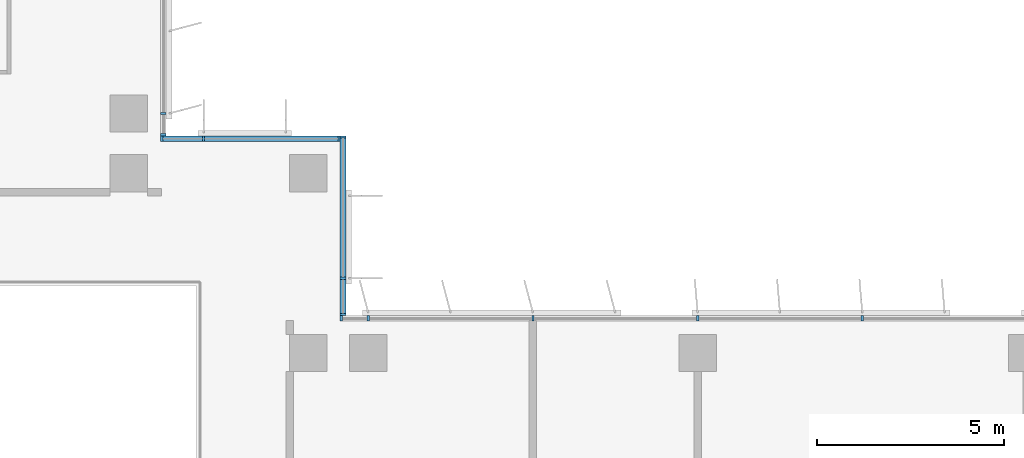
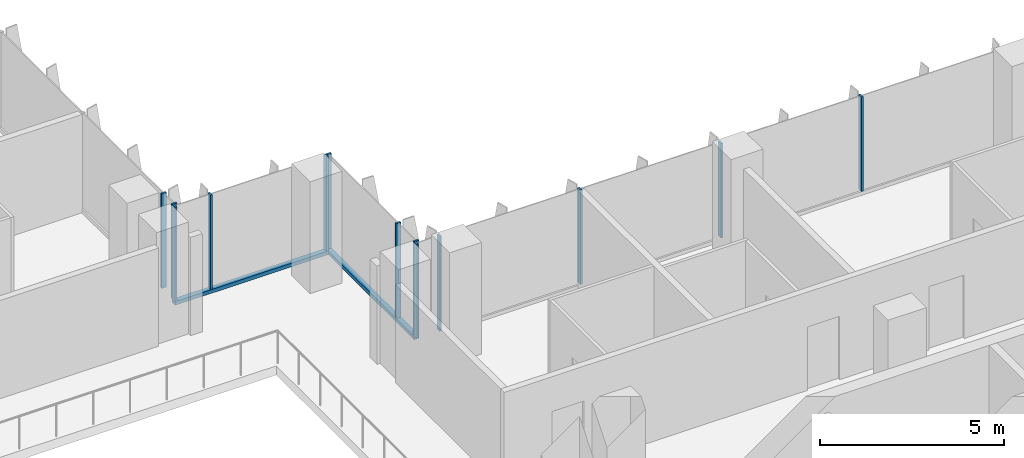
# One storey, part 2 of 20: 15 members, 4 elements without a shape of their own.
"""IFC4 building model written with IfcOpenShell, lengths in metres."""

import ifcopenshell
import ifcopenshell.guid

model = None  # the IFC model being written
_history = None  # IfcOwnerHistory: only IFC2X3 demands one
_inside = {}  # id of a spatial element -> (the spatial element, [elements in it])
_under = {}  # id of a project, library or spatial element -> (it, [spatial elements below it])
_declared = {}  # id of a project -> (the project, [libraries it declares])
_typed = {}  # id of a type object -> (the type object, [elements of that type])
_made_of = {}  # id of a material, layer set ... -> (it, [elements and type objects made of it])


def new_model(schema):
    """Start an empty IFC model of exactly this schema.

    Asked for "IFC4X3", IfcOpenShell would pick the latest addendum, in which some entities
    have other attributes; the version numbers below select the first issue.
    IFC2X3 requires an IfcOwnerHistory on every rooted entity: one is made here for all.
    """
    global model, _history
    if schema == "IFC4X3":
        model = ifcopenshell.file(schema_version=(4, 3, 0, 0))
    else:
        model = ifcopenshell.file(schema=schema)
    _inside.clear()
    _under.clear()
    _declared.clear()
    _typed.clear()
    _made_of.clear()
    _history = None
    if model.schema == "IFC2X3":
        org = make("IfcOrganization", Name="unknown")
        user = make(
            "IfcPersonAndOrganization",
            ThePerson=make("IfcPerson", FamilyName="unknown"),
            TheOrganization=org,
        )
        app = make(
            "IfcApplication",
            ApplicationDeveloper=org,
            Version="unknown",
            ApplicationFullName="unknown",
            ApplicationIdentifier="unknown",
        )
        _history = make(
            "IfcOwnerHistory",
            OwningUser=user,
            OwningApplication=app,
            ChangeAction="ADDED",
            CreationDate=0,
        )
    return model


def make(cls, **values):
    """One entity of the class cls with the attributes given. An attribute that is None is left unset."""
    return model.create_entity(
        cls, **{name: value for name, value in values.items() if value is not None}
    )


def rooted(cls, **values):
    """An entity with a GlobalId (a new one), such as an element, a storey or a relation."""
    return make(cls, GlobalId=ifcopenshell.guid.new(), OwnerHistory=_history, **values)


def si_unit(unit_type, name, prefix=None):
    """IfcSIUnit, for example si_unit("LENGTHUNIT", "METRE", prefix="MILLI")."""
    return make("IfcSIUnit", UnitType=unit_type, Prefix=prefix, Name=name)


def assignment(units):
    """IfcUnitAssignment: the units of a project."""
    return None if units is None else make("IfcUnitAssignment", Units=units)


def point(xyz):
    """IfcCartesianPoint."""
    return None if xyz is None else make("IfcCartesianPoint", Coordinates=xyz)


def direction(xyz):
    """IfcDirection."""
    return None if xyz is None else make("IfcDirection", DirectionRatios=xyz)


def frame(location, z_axis=None, x_axis=None):
    """IfcAxis2Placement3D, a coordinate frame: its origin and axes. An axis left out is left unset."""
    return make(
        "IfcAxis2Placement3D",
        Location=point(location),
        Axis=direction(z_axis),
        RefDirection=direction(x_axis),
    )


def frame_2d(location, x_axis=None):
    """IfcAxis2Placement2D, a coordinate frame in the plane: its origin and x axis."""
    return make(
        "IfcAxis2Placement2D", Location=point(location), RefDirection=direction(x_axis)
    )


def origin():
    """The frame at (0, 0, 0) with its axes left unset."""
    return frame((0.0, 0.0, 0.0))


def origin_2d():
    """The frame at (0, 0) in the plane with its x axis left unset."""
    return frame_2d((0.0, 0.0))


def place(relative_to, where):
    """IfcLocalPlacement: puts the frame where relative to a parent placement (None: the world)."""
    return make(
        "IfcLocalPlacement", PlacementRelTo=relative_to, RelativePlacement=where
    )


def context(
    kind, dimensions, precision=None, world=None, true_north=None, identifier=None
):
    """IfcGeometricRepresentationContext, for example the 3D "Model" context."""
    return make(
        "IfcGeometricRepresentationContext",
        ContextIdentifier=identifier,
        ContextType=kind,
        CoordinateSpaceDimension=dimensions,
        Precision=precision,
        WorldCoordinateSystem=world,
        TrueNorth=true_north,
    )


def subcontext(parent, identifier, kind, view, scale=None):
    """IfcGeometricRepresentationSubContext, for example "Body" below "Model"."""
    return make(
        "IfcGeometricRepresentationSubContext",
        ContextIdentifier=identifier,
        ContextType=kind,
        ParentContext=parent,
        TargetScale=scale,
        TargetView=view,
    )


def project(units=None, contexts=None):
    """IfcProject with its units and contexts."""
    return rooted(
        "IfcProject",
        Name="project",
        RepresentationContexts=contexts,
        UnitsInContext=assignment(units),
    )


def spatial(cls, under=None, at=None, **own):
    """A site, building, storey or space (cls), placed at a placement, below another one or the project."""
    s = rooted(cls, ObjectPlacement=at, **own)
    if under is not None:
        _under.setdefault(under.id(), (under, []))[1].append(s)
    return s


def profile(cls, at=None, kind="AREA", **sizes):
    """A parametric profile (cls). Its sizes go by their IFC names, for example OverallWidth=200.0."""
    return make(cls, ProfileType=kind, Position=at, **sizes)


def rectangle(**sizes):
    """IfcRectangleProfileDef."""
    return profile("IfcRectangleProfileDef", **sizes)


def extrude(swept, where, along, depth):
    """IfcExtrudedAreaSolid: the profile swept, set in the frame where, extruded along a direction by depth."""
    return make(
        "IfcExtrudedAreaSolid",
        SweptArea=swept,
        Position=where,
        ExtrudedDirection=direction(along),
        Depth=depth,
    )


def shape(context_of_items, identifier, shape_type, items):
    """IfcShapeRepresentation: the items that make up one representation, for example the "Body"."""
    return make(
        "IfcShapeRepresentation",
        ContextOfItems=context_of_items,
        RepresentationIdentifier=identifier,
        RepresentationType=shape_type,
        Items=items,
    )


def source(mapping_origin, context_of_items, identifier, shape_type, items):
    """IfcRepresentationMap: a shape defined once, which mapped items show again and again."""
    return make(
        "IfcRepresentationMap",
        MappingOrigin=mapping_origin,
        MappedRepresentation=shape(context_of_items, identifier, shape_type, items),
    )


def transform(
    local_origin,
    x_axis=None,
    y_axis=None,
    z_axis=None,
    scale=None,
    scale2=None,
    scale3=None,
    uniform=True,
):
    """IfcCartesianTransformationOperator3D, or its non-uniform kind. x_axis, y_axis, z_axis: its Axis1, 2, 3."""
    if uniform:
        return make(
            "IfcCartesianTransformationOperator3D",
            Axis1=direction(x_axis),
            Axis2=direction(y_axis),
            LocalOrigin=point(local_origin),
            Scale=scale,
            Axis3=direction(z_axis),
        )
    return make(
        "IfcCartesianTransformationOperator3DnonUniform",
        Axis1=direction(x_axis),
        Axis2=direction(y_axis),
        LocalOrigin=point(local_origin),
        Scale=scale,
        Axis3=direction(z_axis),
        Scale2=scale2,
        Scale3=scale3,
    )


def mapped(mapping_source, mapping_target):
    """IfcMappedItem: shows the shape of a source again, moved by a transform."""
    return make(
        "IfcMappedItem", MappingSource=mapping_source, MappingTarget=mapping_target
    )


def material(Name=None, Category=None):
    """IfcMaterial."""
    return make("IfcMaterial", Name=Name, Category=Category)


def material_profile(
    of_material, cross_section, Name=None, Category=None, Priority=None
):
    """IfcMaterialProfile: a cross section and its material."""
    return make(
        "IfcMaterialProfile",
        Name=Name,
        Material=of_material,
        Profile=cross_section,
        Priority=Priority,
        Category=Category,
    )


def profile_set(profiles, Name=None, composite=None):
    """IfcMaterialProfileSet."""
    return make(
        "IfcMaterialProfileSet",
        Name=Name,
        MaterialProfiles=profiles,
        CompositeProfile=composite,
    )


def made_of(thing, what):
    """Note that an element or type object is made of a material, layer set ...; save() writes the relation."""
    if what is not None:
        _made_of.setdefault(what.id(), (what, []))[1].append(thing)
    return thing


def type_object(cls, material=None, **own):
    """A type object (cls), such as IfcWallType, which elements share."""
    return made_of(rooted(cls, **own), material)


def element(
    cls,
    number,
    at=None,
    inside=None,
    cuts=None,
    type_object=None,
    material=None,
    context=None,
    identifier="Body",
    shape_type=None,
    held_by="IfcProductDefinitionShape",
    body=None,
    shapes=None,
    **own,
):
    """One element of the class cls, such as IfcWall. Its Tag is "e" and its number.

    at: its placement. inside: the storey or other place that contains it. cuts: it is an
    opening in that element (IfcRelVoidsElement). A single representation is given by context,
    identifier, shape_type and body (its items); several are given by shapes. held_by: the class
    of the entity that holds the representations. save() writes the other relations.
    """
    e = rooted(cls, Tag="e%d" % number, ObjectPlacement=at, **own)
    if body is not None:
        shapes = [shape(context, identifier, shape_type, body)]
    if shapes is not None:
        e.Representation = make(held_by, Representations=shapes)
    if inside is not None:
        _inside.setdefault(inside.id(), (inside, []))[1].append(e)
    if cuts is not None:
        rooted(
            "IfcRelVoidsElement", RelatingBuildingElement=cuts, RelatedOpeningElement=e
        )
    if type_object is not None:
        _typed.setdefault(type_object.id(), (type_object, []))[1].append(e)
    return made_of(e, material)


def aggregate(whole, parts):
    """IfcRelAggregates: a whole, such as a stair, and the parts it consists of."""
    return rooted("IfcRelAggregates", RelatingObject=whole, RelatedObjects=parts)


def save(model, path):
    """Write the relations noted so far, then the file.

    IfcRelAggregates (storeys below a building ...), IfcRelContainedInSpatialStructure (elements
    in a storey), IfcRelDefinesByType, IfcRelAssociatesMaterial and IfcRelDeclares: one each for
    every whole, place, type object, material and project.
    """
    for whole, parts in _under.values():
        aggregate(whole, parts)
    for where, things in _inside.values():
        rooted(
            "IfcRelContainedInSpatialStructure",
            RelatedElements=things,
            RelatingStructure=where,
        )
    for kind, things in _typed.values():
        rooted("IfcRelDefinesByType", RelatedObjects=things, RelatingType=kind)
    for what, things in _made_of.values():
        rooted("IfcRelAssociatesMaterial", RelatedObjects=things, RelatingMaterial=what)
    for by, libraries in _declared.values():
        rooted("IfcRelDeclares", RelatingContext=by, RelatedDefinitions=libraries)
    model.write(path)


model = new_model("IFC4")

# Units and contexts
model_context = context("Model", 3, precision=1e-05, world=origin(), true_north=direction((0.0, 1.0)))
body_context = subcontext(model_context, "Body", "Model", "MODEL_VIEW")
ifc_project = project(units=[si_unit("LENGTHUNIT", "METRE"), si_unit("AREAUNIT", "SQUARE_METRE"), si_unit("VOLUMEUNIT", "CUBIC_METRE"), si_unit("PLANEANGLEUNIT", "RADIAN"), si_unit("MASSUNIT", "GRAM", prefix="KILO")], contexts=[model_context])

# Site, building, storey
site_placement = place(None, origin())
site = spatial("IfcSite", under=ifc_project, at=site_placement, CompositionType="ELEMENT")
building_placement = place(site_placement, origin())
building = spatial("IfcBuilding", under=site, at=building_placement, Name="Kemantara Hotel Tower", CompositionType="ELEMENT")
storey_placement = place(building_placement, frame((0.0, 0.0, 190.10009765625)))
storey = spatial("IfcBuildingStorey", under=building, at=storey_placement, Name="L47", CompositionType="ELEMENT", Elevation=190.10009765625)

# Curtain wall, member
ifc_material_1 = material(Name="Low-E tinted double insulated glass 36 mm", Category="glass")
curtain_wall_type = type_object("IfcCurtainWallType", Name="TOWER CURTAIN WALL, FRONT FACES", PredefinedType="USERDEFINED", material=ifc_material_1)
curtain_wall_1_placement = place(storey_placement, origin())
curtain_wall_1 = element("IfcCurtainWall", 1, at=curtain_wall_1_placement, inside=storey, type_object=curtain_wall_type, Name="CW4 L47 T3-R15-1", ObjectType="TOWER CURTAIN WALL, FRONT FACES", PredefinedType="USERDEFINED")
ifc_material_2 = material(Name="Aluminium 6063-T6 bronze anodised", Category="aluminium")
ifc_material_profile_1 = material_profile(ifc_material_2, rectangle(XDim=0.14990234375, YDim=0.1201171875, at=origin_2d()), Name="TOWER CURTAIN WALL, FRONT FACES TRANSOM")
ifc_profile_set_1 = profile_set([ifc_material_profile_1], Name="Aluminium 6063-T6 bronze anodised")
member_type_1 = type_object("IfcMemberType", Name="TOWER CURTAIN WALL, FRONT FACES TRANSOM", PredefinedType="USERDEFINED", material=ifc_profile_set_1)
member_1_placement = place(storey_placement, frame((26.72509765625, 22.0, 0.059814453125), z_axis=(0.0, 1.0, 0.0), x_axis=(-1.0, 0.0, 0.0)))
member_1 = element("IfcMember", 2, at=member_1_placement, type_object=member_type_1, Name="CW4 sill transom T3-R15-1", ObjectType="TRANSOM", PredefinedType="USERDEFINED", context=body_context, shape_type="SweptSolid", body=[
    extrude(rectangle(XDim=0.14990234375, YDim=0.1201171875, at=origin_2d()), origin(), (0.0, 0.0, 1.0), 4.800048828125),
])

curtain_wall_2_placement = place(storey_placement, origin())
curtain_wall_2 = element("IfcCurtainWall", 3, at=curtain_wall_2_placement, inside=storey, type_object=curtain_wall_type, Name="CW4 L47 T3-R16-1", ObjectType="TOWER CURTAIN WALL, FRONT FACES", PredefinedType="USERDEFINED")
member_2_placement = place(storey_placement, frame((26.64990234375, 26.72509765625, 0.059814453125), z_axis=(-1.0, 0.0, 0.0), x_axis=(0.0, -1.0, 0.0)))
member_2 = element("IfcMember", 4, at=member_2_placement, type_object=member_type_1, Name="CW4 sill transom T3-R16-1", ObjectType="TRANSOM", PredefinedType="USERDEFINED", context=body_context, shape_type="SweptSolid", body=[
    extrude(rectangle(XDim=0.14990234375, YDim=0.1201171875, at=origin_2d()), origin(), (0.0, 0.0, 1.0), 4.7998046875),
])

# Curtain wall, members
curtain_wall_3_placement = place(storey_placement, origin())
curtain_wall_3 = element("IfcCurtainWall", 5, at=curtain_wall_3_placement, inside=storey, type_object=curtain_wall_type, Name="CW4 L47 T3-R14-1", ObjectType="TOWER CURTAIN WALL, FRONT FACES", PredefinedType="USERDEFINED")
ifc_material_profile_2 = material_profile(ifc_material_2, rectangle(XDim=0.14990234375, YDim=0.06005859375, at=origin_2d()), Name="TOWER CURTAIN WALL, FRONT FACES MULLION")
ifc_profile_set_2 = profile_set([ifc_material_profile_2], Name="Aluminium 6063-T6 bronze anodised")
member_type_2 = type_object("IfcMemberType", Name="TOWER CURTAIN WALL, FRONT FACES MULLION", PredefinedType="MULLION", material=ifc_profile_set_2)
shared_shape = source(origin(), body_context, "Body", "SweptSolid", [
    extrude(rectangle(XDim=0.14990234375, YDim=0.06005859375, at=origin_2d()), origin(), (0.0, 0.0, 1.0), 3.130126953125),
])
member_3_placement = place(storey_placement, frame((40.60009765625, 21.925048828125, 0.119873046875), z_axis=(0.0, 0.0, 1.0), x_axis=(0.0, -1.0, 0.0)))
member_3 = element("IfcMember", 6, at=member_3_placement, type_object=member_type_2, Name="CW4 mullion T3-R14-1.6", PredefinedType="MULLION", context=body_context, shape_type="MappedRepresentation", body=[
    mapped(shared_shape, transform((0.0, 0.0, 0.0))),
])
member_4_placement = place(storey_placement, frame((36.199951171875, 21.925048828125, 0.119873046875), z_axis=(0.0, 0.0, 1.0), x_axis=(0.0, -1.0, 0.0)))
member_4 = element("IfcMember", 7, at=member_4_placement, type_object=member_type_2, Name="CW4 mullion T3-R14-1.7", PredefinedType="MULLION", context=body_context, shape_type="MappedRepresentation", body=[
    mapped(shared_shape, transform((0.0, 0.0, 0.0))),
])
member_5_placement = place(storey_placement, frame((31.800048828125, 21.925048828125, 0.119873046875), z_axis=(0.0, 0.0, 1.0), x_axis=(0.0, -1.0, 0.0)))
member_5 = element("IfcMember", 8, at=member_5_placement, type_object=member_type_2, Name="CW4 mullion T3-R14-1.8", PredefinedType="MULLION", context=body_context, shape_type="MappedRepresentation", body=[
    mapped(shared_shape, transform((0.0, 0.0, 0.0))),
])
member_6_placement = place(storey_placement, frame((27.39990234375, 21.925048828125, 0.119873046875), z_axis=(0.0, 0.0, 1.0), x_axis=(0.0, -1.0, 0.0)))
member_6 = element("IfcMember", 9, at=member_6_placement, type_object=member_type_2, Name="CW4 mullion T3-R14-1.9", PredefinedType="MULLION", context=body_context, shape_type="MappedRepresentation", body=[
    mapped(shared_shape, transform((0.0, 0.0, 0.0))),
])
member_7_placement = place(storey_placement, frame((26.679931640625, 21.925048828125, 0.119873046875), z_axis=(0.0, 0.0, 1.0), x_axis=(0.0, -1.0, 0.0)))
member_7 = element("IfcMember", 10, at=member_7_placement, type_object=member_type_2, Name="CW4 mullion T3-R14-1.10", PredefinedType="MULLION", context=body_context, shape_type="MappedRepresentation", body=[
    mapped(shared_shape, transform((0.0, 0.0, 0.0))),
])
aggregate(curtain_wall_3, [member_3, member_4, member_5, member_6, member_7])

# Member
member_8_placement = place(storey_placement, frame((26.72509765625, 22.030029296875, 0.119873046875), z_axis=(0.0, 0.0, 1.0), x_axis=(-1.0, 0.0, 0.0)))
member_8 = element("IfcMember", 11, at=member_8_placement, type_object=member_type_2, Name="CW4 mullion T3-R15-1.1", PredefinedType="MULLION", context=body_context, shape_type="MappedRepresentation", body=[
    mapped(shared_shape, transform((0.0, 0.0, 0.0))),
])

member_9_placement = place(storey_placement, frame((26.72509765625, 23.0, 0.119873046875), z_axis=(0.0, 0.0, 1.0), x_axis=(-1.0, 0.0, 0.0)))
member_9 = element("IfcMember", 12, at=member_9_placement, type_object=member_type_2, Name="CW4 mullion T3-R15-1.2", PredefinedType="MULLION", context=body_context, shape_type="MappedRepresentation", body=[
    mapped(shared_shape, transform((0.0, 0.0, 0.0))),
])

member_10_placement = place(storey_placement, frame((26.72509765625, 26.77001953125, 0.119873046875), z_axis=(0.0, 0.0, 1.0), x_axis=(-1.0, 0.0, 0.0)))
member_10 = element("IfcMember", 13, at=member_10_placement, type_object=member_type_2, Name="CW4 mullion T3-R15-1.3", PredefinedType="MULLION", context=body_context, shape_type="MappedRepresentation", body=[
    mapped(shared_shape, transform((0.0, 0.0, 0.0))),
])

aggregate(curtain_wall_1, [member_1, member_8, member_9, member_10])

member_11_placement = place(storey_placement, frame((26.6201171875, 26.72509765625, 0.119873046875), z_axis=(0.0, 0.0, 1.0), x_axis=(0.0, -1.0, 0.0)))
member_11 = element("IfcMember", 14, at=member_11_placement, type_object=member_type_2, Name="CW4 mullion T3-R16-1.1", PredefinedType="MULLION", context=body_context, shape_type="MappedRepresentation", body=[
    mapped(shared_shape, transform((0.0, 0.0, 0.0))),
])

member_12_placement = place(storey_placement, frame((23.0, 26.72509765625, 0.119873046875), z_axis=(0.0, 0.0, 1.0), x_axis=(0.0, -1.0, 0.0)))
member_12 = element("IfcMember", 15, at=member_12_placement, type_object=member_type_2, Name="CW4 mullion T3-R16-1.2", PredefinedType="MULLION", context=body_context, shape_type="MappedRepresentation", body=[
    mapped(shared_shape, transform((0.0, 0.0, 0.0))),
])

member_13_placement = place(storey_placement, frame((21.8798828125, 26.72509765625, 0.119873046875), z_axis=(0.0, 0.0, 1.0), x_axis=(0.0, -1.0, 0.0)))
member_13 = element("IfcMember", 16, at=member_13_placement, type_object=member_type_2, Name="CW4 mullion T3-R16-1.3", PredefinedType="MULLION", context=body_context, shape_type="MappedRepresentation", body=[
    mapped(shared_shape, transform((0.0, 0.0, 0.0))),
])

aggregate(curtain_wall_2, [member_2, member_11, member_12, member_13])

# Curtain wall, members
curtain_wall_4_placement = place(storey_placement, origin())
curtain_wall_4 = element("IfcCurtainWall", 17, at=curtain_wall_4_placement, inside=storey, type_object=curtain_wall_type, Name="CW4 L47 T3-R17-1", ObjectType="TOWER CURTAIN WALL, FRONT FACES", PredefinedType="USERDEFINED")
member_14_placement = place(storey_placement, frame((21.925048828125, 26.830078125, 0.119873046875), z_axis=(0.0, 0.0, 1.0), x_axis=(-1.0, 0.0, 0.0)))
member_14 = element("IfcMember", 18, at=member_14_placement, type_object=member_type_2, Name="CW4 mullion T3-R17-1.1", PredefinedType="MULLION", context=body_context, shape_type="MappedRepresentation", body=[
    mapped(shared_shape, transform((0.0, 0.0, 0.0))),
])
member_15_placement = place(storey_placement, frame((21.925048828125, 27.39990234375, 0.119873046875), z_axis=(0.0, 0.0, 1.0), x_axis=(-1.0, 0.0, 0.0)))
member_15 = element("IfcMember", 19, at=member_15_placement, type_object=member_type_2, Name="CW4 mullion T3-R17-1.2", PredefinedType="MULLION", context=body_context, shape_type="MappedRepresentation", body=[
    mapped(shared_shape, transform((0.0, 0.0, 0.0))),
])
aggregate(curtain_wall_4, [member_14, member_15])

save(model, "model.ifc")
